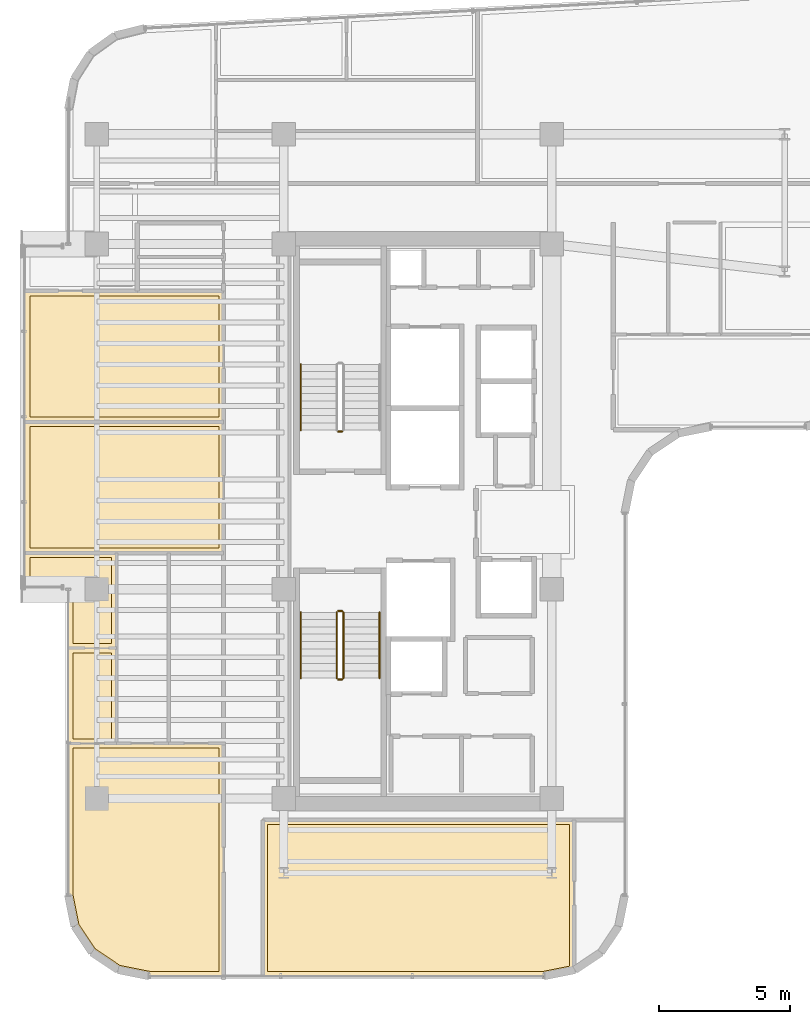
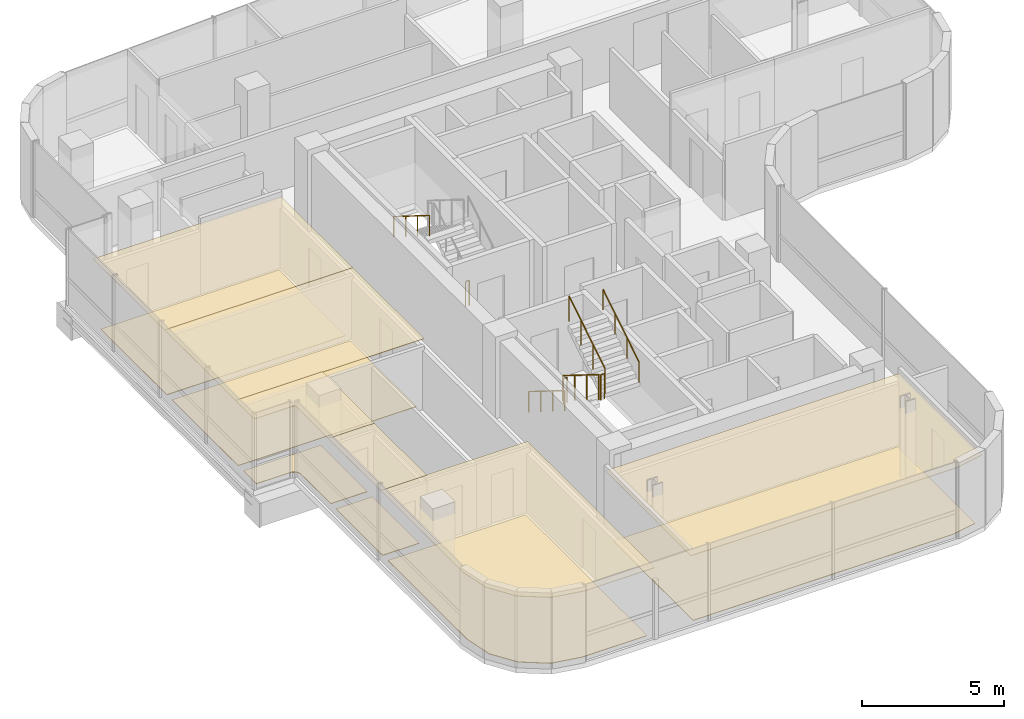
# One storey, part 20 of 22: 12 coverings, 8 railings.
"""IFC4 building model written with IfcOpenShell, lengths in metres."""

from ifc_helpers import new_model, si_unit, direction, frame, origin, origin_2d, place, context, subcontext, project, spatial, polyline, circle, outline, extrude, material, layer, layer_set, type_object, element, save


model = new_model("IFC4")

# Units and contexts
model_context = context("Model", 3, precision=1e-05, world=origin(), true_north=direction((0.0, 1.0)))
body_context = subcontext(model_context, "Body", "Model", "MODEL_VIEW")
ifc_project = project(units=[si_unit("LENGTHUNIT", "METRE"), si_unit("AREAUNIT", "SQUARE_METRE"), si_unit("VOLUMEUNIT", "CUBIC_METRE"), si_unit("PLANEANGLEUNIT", "RADIAN"), si_unit("MASSUNIT", "GRAM", prefix="KILO")], contexts=[model_context])

# Site, building, storey
site_placement = place(None, origin())
site = spatial("IfcSite", under=ifc_project, at=site_placement, CompositionType="ELEMENT")
building_placement = place(site_placement, origin())
building = spatial("IfcBuilding", under=site, at=building_placement, Name="Valdorenza Pilgrim Sanctuary Tower", CompositionType="ELEMENT")
storey_placement = place(building_placement, frame((0.0, 0.0, 209.0)))
storey = spatial("IfcBuildingStorey", under=building, at=storey_placement, Name="L53", CompositionType="ELEMENT", Elevation=209.0)

# Coverings
ifc_material_1 = material(Name="Micro-perforated acoustic mineral ceiling tile", Category="gypsum")
ifc_layer_1 = layer(ifc_material_1, 0.02490234375, Name="Micro-perforated acoustic mineral ceiling tile")
ifc_layer_set_1 = layer_set([ifc_layer_1], Name="Micro-perforated acoustic mineral ceiling tile")
covering_type_1 = type_object("IfcCoveringType", Name="COV-CLG-ACU", PredefinedType="CEILING", material=ifc_layer_set_1)
covering_1_placement = place(storey_placement, frame((0.0, 0.0, 2.9599609375)))
element("IfcCovering", 1, at=covering_1_placement, inside=storey, type_object=covering_type_1, Name="L53 Grand Pilgrim Residence L53-W1 Bedroom 1 Acoustic Ceiling", PredefinedType="CEILING", context=body_context, shape_type="SweptSolid", body=[
    extrude(outline(polyline([(-29.034912109375, -8.49658203125), (-29.03515625, -8.498291015625), (-29.035400390625, -8.49951171875), (-29.03564453125, -8.501220703125), (-29.0361328125, -8.50244140625), (-29.036865234375, -8.50390625), (-29.03759765625, -8.5048828125), (-29.038330078125, -8.506103515625), (-29.039306640625, -8.50732421875), (-29.04052734375, -8.50830078125), (-29.041748046875, -8.50927734375), (-29.04296875, -8.510009765625), (-29.044189453125, -8.510498046875), (-29.045654296875, -8.510986328125), (-29.047119140625, -8.511474609375), (-29.048583984375, -8.51171875), (-29.050048828125, -8.51171875), (-30.889892578125, -8.51171875), (-30.8916015625, -8.51171875), (-30.892822265625, -8.511474609375), (-30.894287109375, -8.510986328125), (-30.895751953125, -8.510498046875), (-30.897216796875, -8.510009765625), (-30.898193359375, -8.50927734375), (-30.8994140625, -8.50830078125), (-30.900634765625, -8.50732421875), (-30.901611328125, -8.506103515625), (-30.902587890625, -8.5048828125), (-30.9033203125, -8.50390625), (-30.90380859375, -8.50244140625), (-30.904296875, -8.501220703125), (-30.90478515625, -8.49951171875), (-30.90478515625, -8.498291015625), (-30.905029296875, -8.49658203125), (-30.905029296875, -4.852783203125), (-30.90478515625, -4.851318359375), (-30.90478515625, -4.85009765625), (-30.904296875, -4.848388671875), (-30.90380859375, -4.84716796875), (-30.9033203125, -4.845703125), (-30.902587890625, -4.844482421875), (-30.901611328125, -4.843505859375), (-30.900634765625, -4.84228515625), (-30.8994140625, -4.84130859375), (-30.898193359375, -4.84033203125), (-30.897216796875, -4.839599609375), (-30.895751953125, -4.839111328125), (-30.894287109375, -4.83837890625), (-30.892822265625, -4.838134765625), (-30.8916015625, -4.837890625), (-30.889892578125, -4.837890625), (-29.050048828125, -4.837890625), (-29.048583984375, -4.837890625), (-29.047119140625, -4.838134765625), (-29.045654296875, -4.83837890625), (-29.044189453125, -4.839111328125), (-29.04296875, -4.839599609375), (-29.041748046875, -4.84033203125), (-29.04052734375, -4.84130859375), (-29.039306640625, -4.84228515625), (-29.038330078125, -4.843505859375), (-29.03759765625, -4.844482421875), (-29.036865234375, -4.845703125), (-29.0361328125, -4.84716796875), (-29.03564453125, -4.848388671875), (-29.035400390625, -4.85009765625), (-29.03515625, -4.851318359375), (-29.034912109375, -4.852783203125), (-29.034912109375, -8.49658203125)])), origin(), (0.0, 0.0, 1.0), 0.025146484375),
])
covering_2_placement = place(storey_placement, frame((0.0, 0.0, 2.9599609375)))
element("IfcCovering", 2, at=covering_2_placement, inside=storey, type_object=covering_type_1, Name="L53 Grand Pilgrim Residence L53-W1 Bedroom 2 Acoustic Ceiling", PredefinedType="CEILING", context=body_context, shape_type="SweptSolid", body=[
    extrude(outline(polyline([(-29.034912109375, -4.850830078125), (-29.03515625, -4.852294921875), (-29.035400390625, -4.853759765625), (-29.03564453125, -4.855224609375), (-29.0361328125, -4.856689453125), (-29.036865234375, -4.85791015625), (-29.03759765625, -4.859130859375), (-29.038330078125, -4.8603515625), (-29.039306640625, -4.861572265625), (-29.04052734375, -4.862548828125), (-29.041748046875, -4.86328125), (-29.04296875, -4.864013671875), (-29.044189453125, -4.86474609375), (-29.045654296875, -4.865234375), (-29.047119140625, -4.865478515625), (-29.048583984375, -4.86572265625), (-29.050048828125, -4.865966796875), (-30.889892578125, -4.865966796875), (-30.8916015625, -4.86572265625), (-30.892822265625, -4.865478515625), (-30.894287109375, -4.865234375), (-30.895751953125, -4.86474609375), (-30.897216796875, -4.864013671875), (-30.898193359375, -4.86328125), (-30.8994140625, -4.862548828125), (-30.900634765625, -4.861572265625), (-30.901611328125, -4.8603515625), (-30.902587890625, -4.859130859375), (-30.9033203125, -4.85791015625), (-30.90380859375, -4.856689453125), (-30.904296875, -4.855224609375), (-30.90478515625, -4.853759765625), (-30.90478515625, -4.852294921875), (-30.905029296875, -4.850830078125), (-30.905029296875, -2.600341796875), (-30.905517578125, -2.5908203125), (-30.90673828125, -2.58154296875), (-30.9091796875, -2.572509765625), (-30.912109375, -2.563720703125), (-30.916259765625, -2.55517578125), (-30.9208984375, -2.547119140625), (-30.926513671875, -2.539794921875), (-30.932861328125, -2.53271484375), (-30.939697265625, -2.526611328125), (-30.947265625, -2.52099609375), (-30.955078125, -2.51611328125), (-30.963623046875, -2.51220703125), (-30.972412109375, -2.509033203125), (-30.9814453125, -2.5068359375), (-30.99072265625, -2.505615234375), (-31.00048828125, -2.5048828125), (-32.5400390625, -2.5048828125), (-32.54150390625, -2.5048828125), (-32.54296875, -2.504638671875), (-32.54443359375, -2.50439453125), (-32.545654296875, -2.50390625), (-32.547119140625, -2.503173828125), (-32.54833984375, -2.50244140625), (-32.549560546875, -2.501708984375), (-32.550537109375, -2.50048828125), (-32.551513671875, -2.49951171875), (-32.552490234375, -2.498291015625), (-32.55322265625, -2.4970703125), (-32.553955078125, -2.49560546875), (-32.554443359375, -2.494384765625), (-32.5546875, -2.492919921875), (-32.554931640625, -2.491455078125), (-32.554931640625, -2.489990234375), (-32.554931640625, -1.208984375), (-32.554931640625, -1.20751953125), (-32.5546875, -1.2060546875), (-32.554443359375, -1.20458984375), (-32.553955078125, -1.203369140625), (-32.55322265625, -1.201904296875), (-32.552490234375, -1.20068359375), (-32.551513671875, -1.199462890625), (-32.550537109375, -1.198486328125), (-32.549560546875, -1.197509765625), (-32.54833984375, -1.196533203125), (-32.547119140625, -1.19580078125), (-32.545654296875, -1.195068359375), (-32.54443359375, -1.194580078125), (-32.54296875, -1.1943359375), (-32.54150390625, -1.194091796875), (-32.5400390625, -1.194091796875), (-29.050048828125, -1.194091796875), (-29.048583984375, -1.194091796875), (-29.047119140625, -1.1943359375), (-29.045654296875, -1.194580078125), (-29.044189453125, -1.195068359375), (-29.04296875, -1.19580078125), (-29.041748046875, -1.196533203125), (-29.04052734375, -1.197509765625), (-29.039306640625, -1.198486328125), (-29.038330078125, -1.199462890625), (-29.03759765625, -1.20068359375), (-29.036865234375, -1.201904296875), (-29.0361328125, -1.203369140625), (-29.03564453125, -1.20458984375), (-29.035400390625, -1.2060546875), (-29.03515625, -1.20751953125), (-29.034912109375, -1.208984375), (-29.034912109375, -4.850830078125)])), origin(), (0.0, 0.0, 1.0), 0.025146484375),
])
covering_3_placement = place(storey_placement, frame((0.0, 0.0, 2.9599609375)))
element("IfcCovering", 3, at=covering_3_placement, inside=storey, type_object=covering_type_1, Name="L53 Grand Pilgrim Residence L53-W1 Living Room Acoustic Ceiling", PredefinedType="CEILING", context=body_context, shape_type="SweptSolid", body=[
    extrude(outline(polyline([(-29.055419921875, -8.483642578125), (-29.054931640625, -8.4833984375), (-29.0537109375, -8.48291015625), (-29.05224609375, -8.482421875), (-29.05078125, -8.48193359375), (-29.04931640625, -8.481689453125), (-29.048095703125, -8.481689453125), (-24.949951171875, -8.481689453125), (-24.948486328125, -8.481689453125), (-24.947021484375, -8.48193359375), (-24.945556640625, -8.482421875), (-24.9443359375, -8.48291015625), (-24.94287109375, -8.4833984375), (-24.941650390625, -8.484130859375), (-24.9404296875, -8.485107421875), (-24.939453125, -8.486083984375), (-24.9384765625, -8.4873046875), (-24.9375, -8.48828125), (-24.936767578125, -8.489501953125), (-24.93603515625, -8.490966796875), (-24.935546875, -8.4921875), (-24.935302734375, -8.493896484375), (-24.93505859375, -8.4951171875), (-24.93505859375, -8.49658203125), (-24.93505859375, -17.389892578125), (-24.93505859375, -17.3916015625), (-24.935302734375, -17.392822265625), (-24.935546875, -17.394287109375), (-24.93603515625, -17.395751953125), (-24.936767578125, -17.397216796875), (-24.9375, -17.398193359375), (-24.9384765625, -17.3994140625), (-24.939453125, -17.400634765625), (-24.9404296875, -17.401611328125), (-24.941650390625, -17.402587890625), (-24.94287109375, -17.4033203125), (-24.9443359375, -17.40380859375), (-24.945556640625, -17.404296875), (-24.947021484375, -17.40478515625), (-24.948486328125, -17.40478515625), (-24.949951171875, -17.405029296875), (-27.789306640625, -17.405029296875), (-27.79052734375, -17.40478515625), (-27.7919921875, -17.40478515625), (-28.984619140625, -17.16748046875), (-28.986083984375, -17.1669921875), (-28.9873046875, -17.16650390625), (-28.98876953125, -17.166015625), (-28.989990234375, -17.165283203125), (-29.99169921875, -16.495849609375), (-29.992919921875, -16.4951171875), (-29.993896484375, -16.493896484375), (-29.9951171875, -16.492919921875), (-29.995849609375, -16.49169921875), (-30.665283203125, -15.489990234375), (-30.666015625, -15.48876953125), (-30.66650390625, -15.4873046875), (-30.6669921875, -15.486083984375), (-30.66748046875, -15.484619140625), (-30.90478515625, -14.2919921875), (-30.90478515625, -14.29052734375), (-30.905029296875, -14.289306640625), (-30.905029296875, -8.498779296875), (-30.90478515625, -8.497314453125), (-30.90478515625, -8.495849609375), (-30.904296875, -8.494384765625), (-30.90380859375, -8.492919921875), (-30.9033203125, -8.49169921875), (-30.902587890625, -8.490478515625), (-30.901611328125, -8.4892578125), (-30.900634765625, -8.488037109375), (-30.8994140625, -8.487060546875), (-30.898193359375, -8.486083984375), (-30.897216796875, -8.485595703125), (-30.895751953125, -8.48486328125), (-30.894287109375, -8.484375), (-30.892822265625, -8.48388671875), (-30.8916015625, -8.48388671875), (-30.889892578125, -8.483642578125), (-29.055419921875, -8.483642578125)])), origin(), (0.0, 0.0, 1.0), 0.025146484375),
])
covering_4_placement = place(storey_placement, frame((0.0, 0.0, 2.9599609375)))
element("IfcCovering", 4, at=covering_4_placement, inside=storey, type_object=covering_type_1, Name="L53 Sanctuary Tea Lounge L53-W Acoustic Ceiling", PredefinedType="CEILING", context=body_context, shape_type="SweptSolid", body=[
    extrude(outline(polyline([(-29.0517578125, -1.221923828125), (-32.5400390625, -1.221923828125), (-32.54150390625, -1.221923828125), (-32.54296875, -1.2216796875), (-32.54443359375, -1.221435546875), (-32.545654296875, -1.220947265625), (-32.547119140625, -1.22021484375), (-32.54833984375, -1.219482421875), (-32.549560546875, -1.218505859375), (-32.550537109375, -1.217529296875), (-32.551513671875, -1.216552734375), (-32.552490234375, -1.21533203125), (-32.55322265625, -1.214111328125), (-32.553955078125, -1.212646484375), (-32.554443359375, -1.21142578125), (-32.5546875, -1.2099609375), (-32.554931640625, -1.20849609375), (-32.554931640625, -1.20703125), (-32.554931640625, 3.79541015625), (-32.554931640625, 3.797119140625), (-32.5546875, 3.79833984375), (-32.554443359375, 3.7998046875), (-32.553955078125, 3.80126953125), (-32.55322265625, 3.802490234375), (-32.552490234375, 3.8037109375), (-32.551513671875, 3.804931640625), (-32.550537109375, 3.80615234375), (-32.549560546875, 3.80712890625), (-32.54833984375, 3.80810546875), (-32.547119140625, 3.80859375), (-32.545654296875, 3.809326171875), (-32.54443359375, 3.809814453125), (-32.54296875, 3.810302734375), (-32.54150390625, 3.810302734375), (-32.5400390625, 3.810546875), (-24.949951171875, 3.810546875), (-24.948486328125, 3.810302734375), (-24.947021484375, 3.810302734375), (-24.945556640625, 3.809814453125), (-24.9443359375, 3.809326171875), (-24.94287109375, 3.80859375), (-24.941650390625, 3.80810546875), (-24.9404296875, 3.80712890625), (-24.939453125, 3.80615234375), (-24.9384765625, 3.804931640625), (-24.9375, 3.8037109375), (-24.936767578125, 3.802490234375), (-24.93603515625, 3.80126953125), (-24.935546875, 3.7998046875), (-24.935302734375, 3.79833984375), (-24.93505859375, 3.797119140625), (-24.93505859375, 3.79541015625), (-24.93505859375, -1.20703125), (-24.93505859375, -1.20849609375), (-24.935302734375, -1.2099609375), (-24.935546875, -1.21142578125), (-24.93603515625, -1.212646484375), (-24.936767578125, -1.214111328125), (-24.9375, -1.21533203125), (-24.9384765625, -1.216552734375), (-24.939453125, -1.217529296875), (-24.9404296875, -1.218505859375), (-24.941650390625, -1.219482421875), (-24.94287109375, -1.22021484375), (-24.9443359375, -1.220947265625), (-24.945556640625, -1.221435546875), (-24.947021484375, -1.2216796875), (-24.948486328125, -1.221923828125), (-24.949951171875, -1.221923828125), (-27.04833984375, -1.221923828125), (-27.048828125, -1.22216796875), (-27.050537109375, -1.222412109375), (-27.052001953125, -1.22216796875), (-27.053466796875, -1.22216796875), (-27.0537109375, -1.221923828125), (-29.04638671875, -1.221923828125), (-29.046875, -1.22216796875), (-29.048583984375, -1.222412109375), (-29.050048828125, -1.22216796875), (-29.051513671875, -1.22216796875), (-29.0517578125, -1.221923828125)])), origin(), (0.0, 0.0, 1.0), 0.025146484375),
])
covering_5_placement = place(storey_placement, frame((0.0, 0.0, 2.9599609375)))
element("IfcCovering", 5, at=covering_5_placement, inside=storey, type_object=covering_type_1, Name="L53 Curator Research Office L53-W Acoustic Ceiling", PredefinedType="CEILING", context=body_context, shape_type="SweptSolid", body=[
    extrude(outline(polyline([(-28.253662109375, 8.81298828125), (-28.253173828125, 8.81298828125), (-28.25146484375, 8.813232421875), (-28.25, 8.813232421875), (-28.24853515625, 8.81298828125), (-28.248291015625, 8.81298828125), (-24.949951171875, 8.81298828125), (-24.948486328125, 8.81298828125), (-24.947021484375, 8.812744140625), (-24.945556640625, 8.8125), (-24.9443359375, 8.81201171875), (-24.94287109375, 8.811279296875), (-24.941650390625, 8.810546875), (-24.9404296875, 8.8095703125), (-24.939453125, 8.80859375), (-24.9384765625, 8.8076171875), (-24.9375, 8.806396484375), (-24.936767578125, 8.80517578125), (-24.93603515625, 8.8037109375), (-24.935546875, 8.802490234375), (-24.935302734375, 8.80078125), (-24.93505859375, 8.799560546875), (-24.93505859375, 8.798095703125), (-24.93505859375, 3.797607421875), (-24.93505859375, 3.7958984375), (-24.935302734375, 3.794677734375), (-24.935546875, 3.793212890625), (-24.93603515625, 3.791748046875), (-24.936767578125, 3.790283203125), (-24.9375, 3.789306640625), (-24.9384765625, 3.7880859375), (-24.939453125, 3.786865234375), (-24.9404296875, 3.785888671875), (-24.941650390625, 3.784912109375), (-24.94287109375, 3.7841796875), (-24.9443359375, 3.78369140625), (-24.945556640625, 3.783203125), (-24.947021484375, 3.78271484375), (-24.948486328125, 3.78271484375), (-24.949951171875, 3.782470703125), (-32.5400390625, 3.782470703125), (-32.54150390625, 3.78271484375), (-32.54296875, 3.78271484375), (-32.54443359375, 3.783203125), (-32.545654296875, 3.78369140625), (-32.547119140625, 3.7841796875), (-32.54833984375, 3.784912109375), (-32.549560546875, 3.785888671875), (-32.550537109375, 3.786865234375), (-32.551513671875, 3.7880859375), (-32.552490234375, 3.789306640625), (-32.55322265625, 3.790283203125), (-32.553955078125, 3.791748046875), (-32.554443359375, 3.793212890625), (-32.5546875, 3.794677734375), (-32.554931640625, 3.7958984375), (-32.554931640625, 3.797607421875), (-32.554931640625, 8.798095703125), (-32.554931640625, 8.799560546875), (-32.5546875, 8.80078125), (-32.554443359375, 8.802490234375), (-32.553955078125, 8.8037109375), (-32.55322265625, 8.80517578125), (-32.552490234375, 8.806396484375), (-32.551513671875, 8.8076171875), (-32.550537109375, 8.80859375), (-32.549560546875, 8.8095703125), (-32.54833984375, 8.810546875), (-32.547119140625, 8.811279296875), (-32.545654296875, 8.81201171875), (-32.54443359375, 8.8125), (-32.54296875, 8.812744140625), (-32.54150390625, 8.81298828125), (-32.5400390625, 8.81298828125), (-28.253662109375, 8.81298828125)])), origin(), (0.0, 0.0, 1.0), 0.025146484375),
])
covering_6_placement = place(storey_placement, frame((0.0, 0.0, 2.9599609375)))
element("IfcCovering", 6, at=covering_6_placement, inside=storey, type_object=covering_type_1, Name="L53 South Contemplation Lounge L53 Acoustic Ceiling", PredefinedType="CEILING", context=body_context, shape_type="SweptSolid", body=[
    extrude(outline(polyline([(-11.550048828125, -11.405029296875), (-11.548583984375, -11.405029296875), (-11.547119140625, -11.4052734375), (-11.545654296875, -11.405517578125), (-11.544189453125, -11.406005859375), (-11.54296875, -11.40673828125), (-11.541748046875, -11.407470703125), (-11.54052734375, -11.408447265625), (-11.539306640625, -11.409423828125), (-11.538330078125, -11.410400390625), (-11.53759765625, -11.41162109375), (-11.536865234375, -11.412841796875), (-11.5361328125, -11.414306640625), (-11.53564453125, -11.41552734375), (-11.535400390625, -11.4169921875), (-11.53515625, -11.41845703125), (-11.534912109375, -11.419921875), (-11.534912109375, -17.1591796875), (-11.53515625, -17.16064453125), (-11.535400390625, -17.162109375), (-11.53564453125, -17.163330078125), (-11.5361328125, -17.164794921875), (-11.536865234375, -17.166259765625), (-11.53759765625, -17.16748046875), (-11.538330078125, -17.168701171875), (-11.539306640625, -17.169677734375), (-11.54052734375, -17.170654296875), (-11.541748046875, -17.171630859375), (-11.54296875, -17.17236328125), (-11.544189453125, -17.1728515625), (-11.545654296875, -17.17333984375), (-11.547119140625, -17.173828125), (-12.7080078125, -17.40478515625), (-12.70947265625, -17.40478515625), (-12.710693359375, -17.405029296875), (-23.449951171875, -17.405029296875), (-23.451416015625, -17.40478515625), (-23.452880859375, -17.40478515625), (-23.454345703125, -17.404296875), (-23.455810546875, -17.40380859375), (-23.45703125, -17.4033203125), (-23.458251953125, -17.402587890625), (-23.45947265625, -17.401611328125), (-23.460693359375, -17.400634765625), (-23.461669921875, -17.3994140625), (-23.46240234375, -17.398193359375), (-23.463134765625, -17.397216796875), (-23.4638671875, -17.395751953125), (-23.46435546875, -17.394287109375), (-23.464599609375, -17.392822265625), (-23.46484375, -17.3916015625), (-23.465087890625, -17.389892578125), (-23.465087890625, -11.419921875), (-23.46484375, -11.41845703125), (-23.464599609375, -11.4169921875), (-23.46435546875, -11.41552734375), (-23.4638671875, -11.414306640625), (-23.463134765625, -11.412841796875), (-23.46240234375, -11.41162109375), (-23.461669921875, -11.410400390625), (-23.460693359375, -11.409423828125), (-23.45947265625, -11.408447265625), (-23.458251953125, -11.407470703125), (-23.45703125, -11.40673828125), (-23.455810546875, -11.406005859375), (-23.454345703125, -11.405517578125), (-23.452880859375, -11.4052734375), (-23.451416015625, -11.405029296875), (-23.449951171875, -11.405029296875), (-11.550048828125, -11.405029296875)])), origin(), (0.0, 0.0, 1.0), 0.025146484375),
])
ifc_material_2 = material(Name="Engineered European oak timber flooring", Category="wood")
ifc_layer_2 = layer(ifc_material_2, 0.02197265625, Name="Engineered European oak timber flooring")
ifc_layer_set_2 = layer_set([ifc_layer_2], Name="Engineered European oak timber flooring")
covering_type_2 = type_object("IfcCoveringType", Name="COV-FLR-OAK", PredefinedType="FLOORING", material=ifc_layer_set_2)
covering_7_placement = place(storey_placement, origin())
element("IfcCovering", 7, at=covering_7_placement, inside=storey, type_object=covering_type_2, Name="L53 Grand Pilgrim Residence L53-W1 Bedroom 1 Flooring", PredefinedType="FLOORING", context=body_context, shape_type="SweptSolid", body=[
    extrude(outline(polyline([(-29.22998046875, -8.316650390625), (-30.7099609375, -8.316650390625), (-30.7099609375, -5.032958984375), (-29.22998046875, -5.032958984375), (-29.22998046875, -8.316650390625)])), origin(), (0.0, 0.0, 1.0), 0.02490234375),
])
covering_8_placement = place(storey_placement, origin())
element("IfcCovering", 8, at=covering_8_placement, inside=storey, type_object=covering_type_2, Name="L53 Grand Pilgrim Residence L53-W1 Bedroom 2 Flooring", PredefinedType="FLOORING", context=body_context, shape_type="SweptSolid", body=[
    extrude(outline(polyline([(-29.22998046875, -4.6708984375), (-30.7099609375, -4.6708984375), (-30.7099609375, -2.60009765625), (-30.710205078125, -2.59130859375), (-30.710693359375, -2.580322265625), (-30.71240234375, -2.562744140625), (-30.714111328125, -2.552001953125), (-30.717529296875, -2.534912109375), (-30.72021484375, -2.5244140625), (-30.725341796875, -2.50732421875), (-30.72900390625, -2.497314453125), (-30.735595703125, -2.48095703125), (-30.740234375, -2.47119140625), (-30.74853515625, -2.45556640625), (-30.754150390625, -2.4462890625), (-30.763916015625, -2.431640625), (-30.7705078125, -2.423095703125), (-30.781494140625, -2.4091796875), (-30.788818359375, -2.4013671875), (-30.80126953125, -2.388916015625), (-30.809326171875, -2.381591796875), (-30.822998046875, -2.370361328125), (-30.831787109375, -2.364013671875), (-30.84619140625, -2.35400390625), (-30.855712890625, -2.3486328125), (-30.87109375, -2.34033203125), (-30.880859375, -2.335693359375), (-30.897216796875, -2.328857421875), (-30.907470703125, -2.3251953125), (-30.92431640625, -2.320068359375), (-30.934814453125, -2.3173828125), (-30.9521484375, -2.314208984375), (-30.962890625, -2.3125), (-30.98046875, -2.310791015625), (-30.9912109375, -2.310302734375), (-31.0, -2.31005859375), (-32.360107421875, -2.31005859375), (-32.360107421875, -1.388916015625), (-29.22998046875, -1.388916015625), (-29.22998046875, -4.6708984375)])), origin(), (0.0, 0.0, 1.0), 0.02490234375),
])
covering_9_placement = place(storey_placement, origin())
element("IfcCovering", 9, at=covering_9_placement, inside=storey, type_object=covering_type_2, Name="L53 Grand Pilgrim Residence L53-W1 Living Room Flooring", PredefinedType="FLOORING", context=body_context, shape_type="SweptSolid", body=[
    extrude(outline(polyline([(-28.911376953125, -16.983154296875), (-29.853515625, -16.353515625), (-30.483154296875, -15.411376953125), (-30.7099609375, -14.271484375), (-30.7099609375, -8.6787109375), (-29.050048828125, -8.6787109375), (-25.1298828125, -8.6767578125), (-25.1298828125, -17.2099609375), (-27.771484375, -17.2099609375), (-28.911376953125, -16.983154296875)])), origin(), (0.0, 0.0, 1.0), 0.02490234375),
])
ifc_material_3 = material(Name="Honed travertine stone flooring", Category="masonry")
ifc_layer_3 = layer(ifc_material_3, 0.030029296875, Name="Honed travertine stone flooring")
ifc_layer_set_3 = layer_set([ifc_layer_3], Name="Honed travertine stone flooring")
covering_type_3 = type_object("IfcCoveringType", Name="COV-FLR-TRV", PredefinedType="FLOORING", material=ifc_layer_set_3)
covering_10_placement = place(storey_placement, origin())
element("IfcCovering", 10, at=covering_10_placement, inside=storey, type_object=covering_type_3, Name="L53 Sanctuary Tea Lounge L53-W Flooring", PredefinedType="FLOORING", context=body_context, shape_type="SweptSolid", body=[
    extrude(outline(polyline([(-29.0498046875, -1.027099609375), (-29.050048828125, -1.027099609375), (-32.360107421875, -1.027099609375), (-32.360107421875, 3.615478515625), (-25.1298828125, 3.615478515625), (-25.1298828125, -1.027099609375), (-27.050048828125, -1.027099609375), (-27.051025390625, -1.027099609375), (-27.0517578125, -1.027099609375), (-27.052001953125, -1.027099609375), (-29.048095703125, -1.027099609375), (-29.049072265625, -1.027099609375), (-29.0498046875, -1.027099609375)])), origin(), (0.0, 0.0, 1.0), 0.02490234375),
])
covering_11_placement = place(storey_placement, origin())
element("IfcCovering", 11, at=covering_11_placement, inside=storey, type_object=covering_type_3, Name="L53 Curator Research Office L53-W Flooring", PredefinedType="FLOORING", context=body_context, shape_type="SweptSolid", body=[
    extrude(outline(polyline([(-28.250244140625, 8.617919921875), (-28.25, 8.617919921875), (-25.1298828125, 8.617919921875), (-25.1298828125, 3.9775390625), (-32.360107421875, 3.9775390625), (-32.360107421875, 8.617919921875), (-28.251953125, 8.617919921875), (-28.2509765625, 8.617919921875), (-28.250244140625, 8.617919921875)])), origin(), (0.0, 0.0, 1.0), 0.02490234375),
])
covering_12_placement = place(storey_placement, origin())
element("IfcCovering", 12, at=covering_12_placement, inside=storey, type_object=covering_type_3, Name="L53 South Contemplation Lounge L53 Flooring", PredefinedType="FLOORING", context=body_context, shape_type="SweptSolid", body=[
    extrude(outline(polyline([(-11.72998046875, -11.60009765625), (-11.72998046875, -17.011474609375), (-12.728515625, -17.2099609375), (-23.27001953125, -17.2099609375), (-23.27001953125, -11.60009765625), (-11.72998046875, -11.60009765625)])), origin(), (0.0, 0.0, 1.0), 0.02490234375),
])

# Railings
ifc_material_4 = material(Name="Stainless steel Grade 316", Category="steel")
railing_type_1 = type_object("IfcRailingType", Name="RLG-GRD-1120", PredefinedType="GUARDRAIL", material=ifc_material_4)
railing_1_placement = place(storey_placement, frame((-20.419921875, 3.429931640625, 0.0)))
element("IfcRailing", 13, at=railing_1_placement, inside=storey, type_object=railing_type_1, Name="L53 ST-A1 stair guard 4", PredefinedType="GUARDRAIL", context=body_context, shape_type="SweptSolid", body=[
    extrude(circle(Radius=0.02392578125, at=origin_2d()), frame((0.0, 0.0, 1.076171875), z_axis=(-1.0, 0.0, 0.0), x_axis=(0.0, -1.0, 0.0)), (0.0, 0.0, 1.0), 0.150146484375),
    extrude(circle(Radius=0.02099609375, at=origin_2d()), origin(), (0.0, 0.0, 1.0), 1.052001953125),
    extrude(circle(Radius=0.02099609375, at=origin_2d()), frame((-0.150146484375, 0.0, 0.0)), (0.0, 0.0, 1.0), 1.052001953125),
])
railing_2_placement = place(storey_placement, frame((-20.6201171875, -3.47998046875, 0.175048828125)))
element("IfcRailing", 14, at=railing_2_placement, inside=storey, type_object=railing_type_1, Name="L53 ST-A2 stair guard 1", PredefinedType="GUARDRAIL", context=body_context, shape_type="SweptSolid", body=[
    extrude(circle(Radius=0.02392578125, at=origin_2d()), frame((0.0, 0.0, 1.076171875), z_axis=(0.0, -0.848007534815, 0.529984170421), x_axis=(1.0, 0.0, 0.0)), (0.0, 0.0, 1.0), 2.9716796875),
    extrude(circle(Radius=0.02099609375, at=origin_2d()), origin(), (0.0, 0.0, 1.0), 1.052001953125),
    extrude(circle(Radius=0.02099609375, at=origin_2d()), frame((0.0, -0.840087890625, 0.52490234375)), (0.0, 0.0, 1.0), 1.052001953125),
    extrude(circle(Radius=0.02099609375, at=origin_2d()), frame((0.0, -1.679931640625, 1.050048828125)), (0.0, 0.0, 1.0), 1.052001953125),
    extrude(circle(Radius=0.02099609375, at=origin_2d()), frame((0.0, -2.52001953125, 1.574951171875)), (0.0, 0.0, 1.0), 1.052001953125),
])
railing_3_placement = place(storey_placement, frame((-20.570068359375, -6.050048828125, 1.75)))
element("IfcRailing", 15, at=railing_3_placement, inside=storey, type_object=railing_type_1, Name="L53 ST-A2 stair guard 2", PredefinedType="GUARDRAIL", context=body_context, shape_type="SweptSolid", body=[
    extrude(circle(Radius=0.02392578125, at=origin_2d()), frame((0.0, 0.0, 1.076171875), z_axis=(1.0, 0.0, 0.0), x_axis=(0.0, 1.0, 0.0)), (0.0, 0.0, 1.0), 0.150146484375),
    extrude(circle(Radius=0.02099609375, at=origin_2d()), origin(), (0.0, 0.0, 1.0), 1.052001953125),
    extrude(circle(Radius=0.02099609375, at=origin_2d()), frame((0.150146484375, 0.0, 0.0)), (0.0, 0.0, 1.0), 1.052001953125),
])
railing_4_placement = place(storey_placement, frame((-20.3701171875, -6.0, 1.925048828125)))
element("IfcRailing", 16, at=railing_4_placement, inside=storey, type_object=railing_type_1, Name="L53 ST-A2 stair guard 3", PredefinedType="GUARDRAIL", context=body_context, shape_type="SweptSolid", body=[
    extrude(circle(Radius=0.02392578125, at=origin_2d()), frame((0.0, 0.0, 1.076171875), z_axis=(0.0, 0.848007534815, 0.529984170421), x_axis=(-1.0, 0.0, 0.0)), (0.0, 0.0, 1.0), 2.9716796875),
    extrude(circle(Radius=0.02099609375, at=origin_2d()), origin(), (0.0, 0.0, 1.0), 1.052001953125),
    extrude(circle(Radius=0.02099609375, at=origin_2d()), frame((0.0, 0.840087890625, 0.52490234375)), (0.0, 0.0, 1.0), 1.052001953125),
    extrude(circle(Radius=0.02099609375, at=origin_2d()), frame((0.0, 1.679931640625, 1.050048828125)), (0.0, 0.0, 1.0), 1.052001953125),
    extrude(circle(Radius=0.02099609375, at=origin_2d()), frame((0.0, 2.52001953125, 1.574951171875)), (0.0, 0.0, 1.0), 1.052001953125),
])
railing_5_placement = place(storey_placement, frame((-20.570068359375, -3.429931640625, 0.0)))
element("IfcRailing", 17, at=railing_5_placement, inside=storey, type_object=railing_type_1, Name="L53 ST-A2 stair guard 4", PredefinedType="GUARDRAIL", context=body_context, shape_type="SweptSolid", body=[
    extrude(circle(Radius=0.02392578125, at=origin_2d()), frame((0.0, 0.0, 1.076171875), z_axis=(1.0, 0.0, 0.0), x_axis=(0.0, 1.0, 0.0)), (0.0, 0.0, 1.0), 0.150146484375),
    extrude(circle(Radius=0.02099609375, at=origin_2d()), origin(), (0.0, 0.0, 1.0), 1.052001953125),
    extrude(circle(Radius=0.02099609375, at=origin_2d()), frame((0.150146484375, 0.0, 0.0)), (0.0, 0.0, 1.0), 1.052001953125),
])
ifc_material_5 = material(Name="Brushed stainless steel Grade 316", Category="steel")
railing_type_2 = type_object("IfcRailingType", Name="RLG-HND-920", PredefinedType="HANDRAIL", material=ifc_material_5)
for number, where, name in (
    (18, (-22.0, 6.0, 1.925048828125), "L53 ST-A1 stair handrail 2"),
    (19, (-22.0, -3.47998046875, 0.175048828125), "L53 ST-A2 stair handrail 1"),
):
    element("IfcRailing", number, at=place(storey_placement, frame(where)), inside=storey, type_object=railing_type_2, Name=name, PredefinedType="HANDRAIL", context=body_context, shape_type="SweptSolid", body=[
        extrude(circle(Radius=0.02392578125, at=origin_2d()), frame((0.0, 0.0, 0.8759765625), z_axis=(0.0, -0.848007534815, 0.529984170421), x_axis=(1.0, 0.0, 0.0)), (0.0, 0.0, 1.0), 2.9716796875),
        extrude(circle(Radius=0.02099609375, at=origin_2d()), origin(), (0.0, 0.0, 1.0), 0.851806640625),
        extrude(circle(Radius=0.02099609375, at=origin_2d()), frame((0.0, -0.840087890625, 0.52490234375)), (0.0, 0.0, 1.0), 0.851806640625),
        extrude(circle(Radius=0.02099609375, at=origin_2d()), frame((0.0, -1.679931640625, 1.050048828125)), (0.0, 0.0, 1.0), 0.851806640625),
        extrude(circle(Radius=0.02099609375, at=origin_2d()), frame((0.0, -2.52001953125, 1.574951171875)), (0.0, 0.0, 1.0), 0.851806640625),
    ])
railing_6_placement = place(storey_placement, frame((-18.989990234375, -6.0, 1.925048828125)))
element("IfcRailing", 20, at=railing_6_placement, inside=storey, type_object=railing_type_2, Name="L53 ST-A2 stair handrail 2", PredefinedType="HANDRAIL", context=body_context, shape_type="SweptSolid", body=[
    extrude(circle(Radius=0.02392578125, at=origin_2d()), frame((0.0, 0.0, 0.8759765625), z_axis=(0.0, 0.848007534815, 0.529984170421), x_axis=(-1.0, 0.0, 0.0)), (0.0, 0.0, 1.0), 2.9716796875),
    extrude(circle(Radius=0.02099609375, at=origin_2d()), origin(), (0.0, 0.0, 1.0), 0.851806640625),
    extrude(circle(Radius=0.02099609375, at=origin_2d()), frame((0.0, 0.840087890625, 0.52490234375)), (0.0, 0.0, 1.0), 0.851806640625),
    extrude(circle(Radius=0.02099609375, at=origin_2d()), frame((0.0, 1.679931640625, 1.050048828125)), (0.0, 0.0, 1.0), 0.851806640625),
    extrude(circle(Radius=0.02099609375, at=origin_2d()), frame((0.0, 2.52001953125, 1.574951171875)), (0.0, 0.0, 1.0), 0.851806640625),
])

save(model, "model.ifc")
